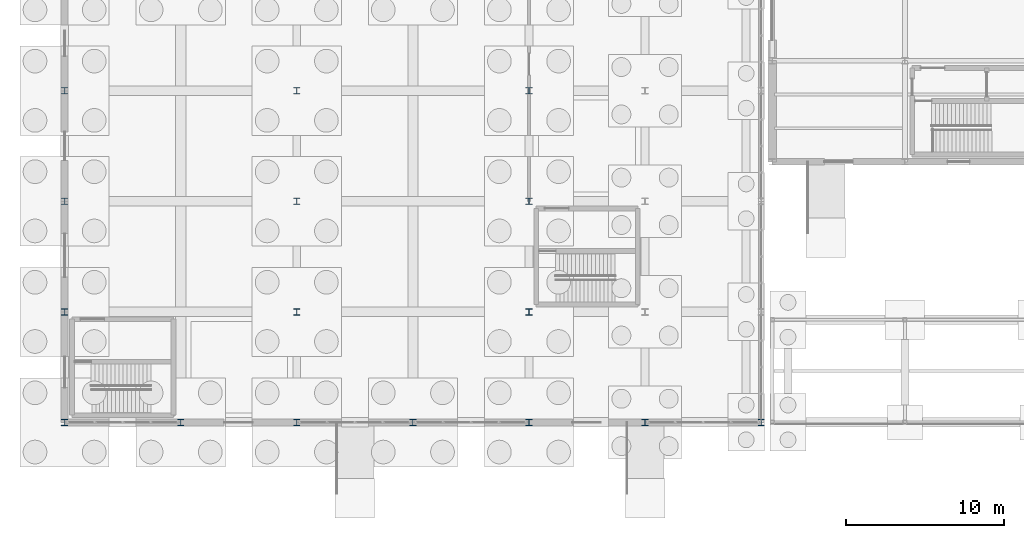
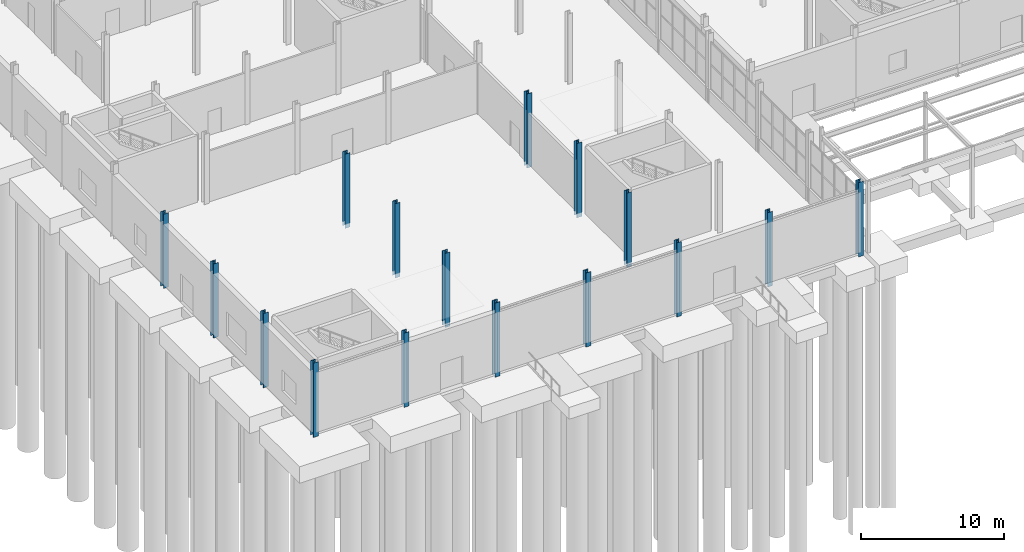
# One storey, part 11 of 139: 16 columns.
"""IFC4 building model written with IfcOpenShell, lengths in metres."""

from ifc_helpers import new_model, si_unit, direction, frame, origin, origin_2d, place, context, subcontext, project, spatial, i_section, extrude, material, material_profile, profile_set, type_object, element, save


model = new_model("IFC4")

# Units and contexts
model_context = context("Model", 3, precision=1e-05, world=origin(), true_north=direction((0.0, 1.0)))
body_context = subcontext(model_context, "Body", "Model", "MODEL_VIEW")
ifc_project = project(units=[si_unit("LENGTHUNIT", "METRE"), si_unit("AREAUNIT", "SQUARE_METRE"), si_unit("VOLUMEUNIT", "CUBIC_METRE"), si_unit("PLANEANGLEUNIT", "RADIAN"), si_unit("MASSUNIT", "GRAM", prefix="KILO")], contexts=[model_context])

# Site, building, storey
site_placement = place(None, origin())
site = spatial("IfcSite", under=ifc_project, at=site_placement, CompositionType="ELEMENT")
building_placement = place(site_placement, origin())
building = spatial("IfcBuilding", under=site, at=building_placement, Name="Kazenagashi Tramway Depot", CompositionType="ELEMENT")
storey_placement = place(building_placement, origin())
storey = spatial("IfcBuildingStorey", under=building, at=storey_placement, Name="L01", CompositionType="ELEMENT", Elevation=0.0)

# Columns
ifc_material = material(Name="Steel SN490B", Category="steel")
ifc_material_profile = material_profile(ifc_material, i_section(OverallWidth=0.4, OverallDepth=0.4, WebThickness=0.013, FlangeThickness=0.021, at=origin_2d()), Name="H-400x400x13x21")
ifc_profile_set = profile_set([ifc_material_profile], Name="Steel SN490B")
column_type = type_object("IfcColumnType", Name="C-03", PredefinedType="COLUMN", material=ifc_profile_set)
for number, where, z_axis, x_axis, name in (
    (1, (0.0, 0.0, -0.35), (0.0, 0.0, 1.0), (1.0, 0.0, 0.0), "Column C-03 COL-0529"),
    (2, (0.0, 7.0, -0.35), (0.0, 0.0, 1.0), (1.0, 0.0, 0.0), "Column C-03 COL-0534"),
    (3, (0.0, 14.0, -0.35), (0.0, 0.0, 1.0), (1.0, 0.0, 0.0), "Column C-03 COL-0539"),
    (4, (0.0, 21.0, -0.35), (0.0, 0.0, 1.0), (1.0, 0.0, 0.0), "Column C-03 COL-0544"),
    (5, (7.35, 0.0, -0.35), (0.0, 0.0, 1.0), (1.0, 0.0, 0.0), "Column C-03 COL-0574"),
    (6, (14.7, 0.0, -0.35), (0.0, 0.0, 1.0), (1.0, 0.0, 0.0), "Column C-03 COL-0616"),
    (7, (14.7, 7.0, -0.35), (0.0, 0.0, 1.0), (1.0, 0.0, 0.0), "Column C-03 COL-0621"),
    (8, (14.7, 14.0, -0.35), (0.0, 0.0, 1.0), (1.0, 0.0, 0.0), "Column C-03 COL-0626"),
    (9, (14.7, 21.0, -0.35), (0.0, 0.0, 1.0), (1.0, 0.0, 0.0), "Column C-03 COL-0631"),
    (10, (22.05, 0.0, -0.35), (0.0, 0.0, 1.0), (1.0, 0.0, 0.0), "Column C-03 COL-0661"),
    (11, (29.4, 0.0, -0.35), (0.0, 0.0, 1.0), (1.0, 0.0, 0.0), "Column C-03 COL-0703"),
    (12, (29.4, 7.0, -0.35), (0.0, 0.0, 1.0), (1.0, 0.0, 0.0), "Column C-03 COL-0708"),
    (13, (29.4, 14.0, -0.35), (0.0, 0.0, 1.0), (1.0, 0.0, 0.0), "Column C-03 COL-0713"),
    (14, (29.4, 21.0, -0.35), (0.0, 0.0, 1.0), (1.0, 0.0, 0.0), "Column C-03 COL-0718"),
    (15, (36.75, 0.0, -0.35), (0.0, 0.0, 1.0), (1.0, 0.0, 0.0), "Column C-03 COL-0748"),
    (16, (44.1, 0.0, -0.35), (0.0, 0.0, 1.0), (1.0, 0.0, 0.0), "Column C-03 COL-0786"),
):
    element("IfcColumn", number, at=place(storey_placement, frame(where, z_axis=z_axis, x_axis=x_axis)), inside=storey, type_object=column_type, Name=name, PredefinedType="COLUMN", context=body_context, shape_type="SweptSolid", body=[
        extrude(i_section(OverallWidth=0.4, OverallDepth=0.4, WebThickness=0.013, FlangeThickness=0.021, at=origin_2d()), origin(), (0.0, 0.0, 1.0), 6.35),
    ])

save(model, "model.ifc")
